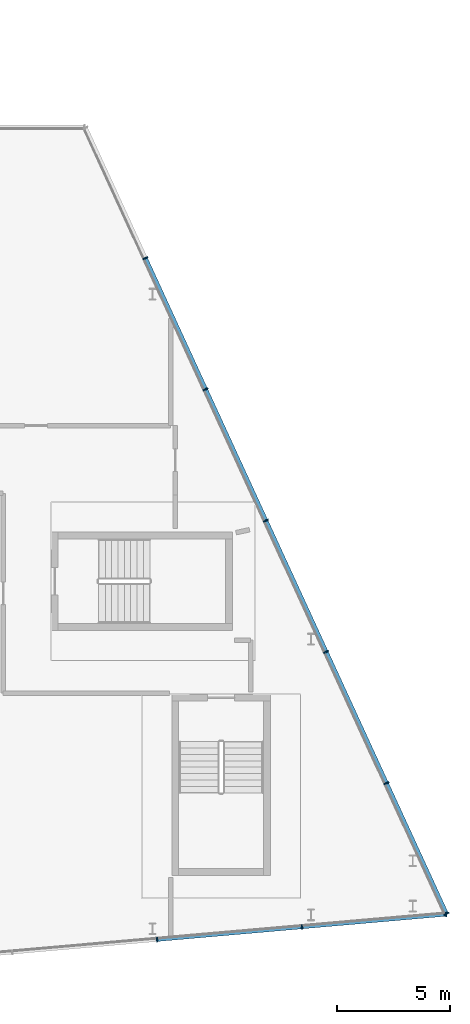
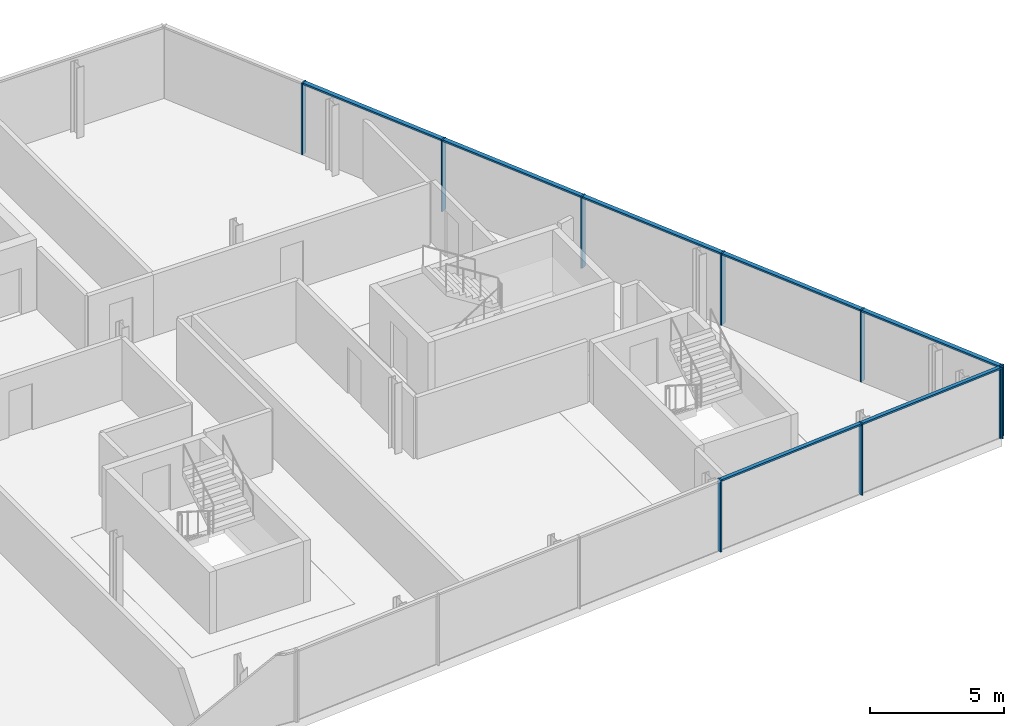
# One storey, part 5 of 13: 16 members, 2 elements without a shape of their own.
"""IFC4 building model written with IfcOpenShell, lengths in metres."""

from ifc_helpers import new_model, si_unit, direction, frame, origin, origin_2d, place, context, subcontext, project, spatial, rectangle, extrude, material, material_profile, profile_set, type_object, element, aggregate, save


model = new_model("IFC4")

# Units and contexts
model_context = context("Model", 3, precision=1e-05, world=origin(), true_north=direction((0.0, 1.0)))
body_context = subcontext(model_context, "Body", "Model", "MODEL_VIEW")
ifc_project = project(units=[si_unit("LENGTHUNIT", "METRE"), si_unit("AREAUNIT", "SQUARE_METRE"), si_unit("VOLUMEUNIT", "CUBIC_METRE"), si_unit("PLANEANGLEUNIT", "RADIAN"), si_unit("MASSUNIT", "GRAM", prefix="KILO")], contexts=[model_context])

# Site, building, storey
site_placement = place(None, origin())
site = spatial("IfcSite", under=ifc_project, at=site_placement, CompositionType="ELEMENT")
building_placement = place(site_placement, origin())
building = spatial("IfcBuilding", under=site, at=building_placement, Name="Wharfspan Tower", CompositionType="ELEMENT")
storey_placement = place(building_placement, frame((0.0, 0.0, 264.300049)))
storey = spatial("IfcBuildingStorey", under=building, at=storey_placement, Name="L67", CompositionType="ELEMENT", Elevation=264.300049)

# Curtain wall, members
ifc_material = material(Name="Aluminium 6063-T6", Category="aluminium")
curtain_wall_type_1 = type_object("IfcCurtainWallType", Name="CURTAIN WALL FACETED FRONT", PredefinedType="NOTDEFINED", material=ifc_material)
curtain_wall_1_placement = place(storey_placement, origin())
curtain_wall_1 = element("IfcCurtainWall", 1, at=curtain_wall_1_placement, inside=storey, type_object=curtain_wall_type_1, Name="Crown curtain wall S2", PredefinedType="NOTDEFINED")
ifc_material_profile_1 = material_profile(ifc_material, rectangle(XDim=0.199951, YDim=0.060059, at=origin_2d()))
ifc_profile_set_1 = profile_set([ifc_material_profile_1], Name="Aluminium 6063-T6")
member_type_1 = type_object("IfcMemberType", Name="MULLION FACETED FRONT 60x200", PredefinedType="MULLION", material=ifc_profile_set_1)
member_1_placement = place(storey_placement, frame((65.199951, 7.680176, 0.0), z_axis=(0.0, 0.0, 1.0), x_axis=(-0.087156, 0.996198, 0.0)))
member_1 = element("IfcMember", 2, at=member_1_placement, type_object=member_type_1, Name="Crown curtain wall S2 mullion 4", PredefinedType="MULLION", context=body_context, shape_type="SweptSolid", body=[
    extrude(rectangle(XDim=0.199951, YDim=0.060059, at=origin_2d()), origin(), (0.0, 0.0, 1.0), 3.264404),
])
member_2_placement = place(storey_placement, frame((71.600098, 8.23999, 0.0), z_axis=(0.0, 0.0, 1.0), x_axis=(-0.087156, 0.996198, 0.0)))
member_2 = element("IfcMember", 3, at=member_2_placement, type_object=member_type_1, Name="Crown curtain wall S2 mullion 5", PredefinedType="MULLION", context=body_context, shape_type="SweptSolid", body=[
    extrude(rectangle(XDim=0.199951, YDim=0.060059, at=origin_2d()), origin(), (0.0, 0.0, 1.0), 3.264404),
])
member_3_placement = place(storey_placement, frame((77.970215, 8.797363, 0.0), z_axis=(0.0, 0.0, 1.0), x_axis=(-0.087156, 0.996198, 0.0)))
member_3 = element("IfcMember", 4, at=member_3_placement, type_object=member_type_1, Name="Crown curtain wall S2 mullion 6", PredefinedType="MULLION", context=body_context, shape_type="SweptSolid", body=[
    extrude(rectangle(XDim=0.199951, YDim=0.060059, at=origin_2d()), origin(), (0.0, 0.0, 1.0), 3.264404),
])

curtain_wall_type_2 = type_object("IfcCurtainWallType", Name="CURTAIN WALL PROW AND END", PredefinedType="NOTDEFINED", material=ifc_material)
curtain_wall_2_placement = place(storey_placement, origin())
curtain_wall_2 = element("IfcCurtainWall", 5, at=curtain_wall_2_placement, inside=storey, type_object=curtain_wall_type_2, Name="Crown curtain wall E", PredefinedType="NOTDEFINED")
ifc_material_profile_2 = material_profile(ifc_material, rectangle(XDim=0.23999, YDim=0.060059, at=origin_2d()))
ifc_profile_set_2 = profile_set([ifc_material_profile_2], Name="Aluminium 6063-T6")
member_type_2 = type_object("IfcMemberType", Name="MULLION PROW AND END 60x240", PredefinedType="MULLION", material=ifc_profile_set_2)
member_4_placement = place(storey_placement, frame((77.987549, 8.827148, 0.0), z_axis=(0.0, 0.0, 1.0), x_axis=(-0.908769, -0.417292, 0.0)))
member_4 = element("IfcMember", 6, at=member_4_placement, type_object=member_type_2, Name="Crown curtain wall E mullion 1", PredefinedType="MULLION", context=body_context, shape_type="SweptSolid", body=[
    extrude(rectangle(XDim=0.23999, YDim=0.060059, at=origin_2d()), origin(), (0.0, 0.0, 1.0), 3.264404),
])
member_5_placement = place(storey_placement, frame((75.33667, 14.600098, 0.0), z_axis=(0.0, 0.0, 1.0), x_axis=(-0.908769, -0.417292, 0.0)))
member_5 = element("IfcMember", 7, at=member_5_placement, type_object=member_type_2, Name="Crown curtain wall E mullion 2", PredefinedType="MULLION", context=body_context, shape_type="SweptSolid", body=[
    extrude(rectangle(XDim=0.23999, YDim=0.060059, at=origin_2d()), origin(), (0.0, 0.0, 1.0), 3.264404),
])
member_6_placement = place(storey_placement, frame((72.673584, 20.399902, 0.0), z_axis=(0.0, 0.0, 1.0), x_axis=(-0.908769, -0.417292, 0.0)))
member_6 = element("IfcMember", 8, at=member_6_placement, type_object=member_type_2, Name="Crown curtain wall E mullion 3", PredefinedType="MULLION", context=body_context, shape_type="SweptSolid", body=[
    extrude(rectangle(XDim=0.23999, YDim=0.060059, at=origin_2d()), origin(), (0.0, 0.0, 1.0), 3.264404),
])
member_7_placement = place(storey_placement, frame((70.010254, 26.199951, 0.0), z_axis=(0.0, 0.0, 1.0), x_axis=(-0.908769, -0.417292, 0.0)))
member_7 = element("IfcMember", 9, at=member_7_placement, type_object=member_type_2, Name="Crown curtain wall E mullion 4", PredefinedType="MULLION", context=body_context, shape_type="SweptSolid", body=[
    extrude(rectangle(XDim=0.23999, YDim=0.060059, at=origin_2d()), origin(), (0.0, 0.0, 1.0), 3.264404),
])
member_8_placement = place(storey_placement, frame((67.346924, 32.0, 0.0), z_axis=(0.0, 0.0, 1.0), x_axis=(-0.908769, -0.417292, 0.0)))
member_8 = element("IfcMember", 10, at=member_8_placement, type_object=member_type_2, Name="Crown curtain wall E mullion 5", PredefinedType="MULLION", context=body_context, shape_type="SweptSolid", body=[
    extrude(rectangle(XDim=0.23999, YDim=0.060059, at=origin_2d()), origin(), (0.0, 0.0, 1.0), 3.264404),
])
member_9_placement = place(storey_placement, frame((64.683594, 37.800049, 0.0), z_axis=(0.0, 0.0, 1.0), x_axis=(-0.908769, -0.417292, 0.0)))
member_9 = element("IfcMember", 11, at=member_9_placement, type_object=member_type_2, Name="Crown curtain wall E mullion 6", PredefinedType="MULLION", context=body_context, shape_type="SweptSolid", body=[
    extrude(rectangle(XDim=0.23999, YDim=0.060059, at=origin_2d()), origin(), (0.0, 0.0, 1.0), 3.264404),
])

# Member
ifc_material_profile_3 = material_profile(ifc_material, rectangle(XDim=0.159912, YDim=0.080078, at=origin_2d()))
ifc_profile_set_3 = profile_set([ifc_material_profile_3], Name="Aluminium 6063-T6")
member_type_3 = type_object("IfcMemberType", Name="TRANSOM FACETED FRONT 80x160", PredefinedType="USERDEFINED", material=ifc_profile_set_3)
member_10_placement = place(storey_placement, frame((65.22998, 7.682861, 3.224365), z_axis=(0.996195, 0.087156, 0.0), x_axis=(-0.087156, 0.996195, 0.0)))
member_10 = element("IfcMember", 12, at=member_10_placement, type_object=member_type_3, Name="Crown curtain wall S2 transom 4", ObjectType="TRANSOM", PredefinedType="USERDEFINED", context=body_context, shape_type="SweptSolid", body=[
    extrude(rectangle(XDim=0.159912, YDim=0.080078, at=origin_2d()), origin(), (0.0, 0.0, 1.0), 6.364258),
])

member_11_placement = place(storey_placement, frame((71.629883, 8.242676, 3.224365), z_axis=(0.996196, 0.087144, 0.0), x_axis=(-0.087144, 0.996196, 0.0)))
member_11 = element("IfcMember", 13, at=member_11_placement, type_object=member_type_3, Name="Crown curtain wall S2 transom 5", ObjectType="TRANSOM", PredefinedType="USERDEFINED", context=body_context, shape_type="SweptSolid", body=[
    extrude(rectangle(XDim=0.159912, YDim=0.080078, at=origin_2d()), origin(), (0.0, 0.0, 1.0), 6.334473),
])

aggregate(curtain_wall_1, [member_1, member_2, member_3, member_10, member_11])

ifc_material_profile_4 = material_profile(ifc_material, rectangle(XDim=0.179932, YDim=0.080078, at=origin_2d()))
ifc_profile_set_4 = profile_set([ifc_material_profile_4], Name="Aluminium 6063-T6")
member_type_4 = type_object("IfcMemberType", Name="TRANSOM PROW AND END 80x180", PredefinedType="USERDEFINED", material=ifc_profile_set_4)
member_12_placement = place(storey_placement, frame((77.974854, 8.854492, 3.224365), z_axis=(-0.417261, 0.908787, 0.0), x_axis=(-0.908787, -0.417261, 0.0)))
member_12 = element("IfcMember", 14, at=member_12_placement, type_object=member_type_4, Name="Crown curtain wall E transom 1", ObjectType="TRANSOM", PredefinedType="USERDEFINED", context=body_context, shape_type="SweptSolid", body=[
    extrude(rectangle(XDim=0.179932, YDim=0.080078, at=origin_2d()), origin(), (0.0, 0.0, 1.0), 6.292236),
])

member_13_placement = place(storey_placement, frame((75.324219, 14.627197, 3.224365), z_axis=(-0.41728, 0.908778, 0.0), x_axis=(-0.908778, -0.41728, 0.0)))
member_13 = element("IfcMember", 15, at=member_13_placement, type_object=member_type_4, Name="Crown curtain wall E transom 2", ObjectType="TRANSOM", PredefinedType="USERDEFINED", context=body_context, shape_type="SweptSolid", body=[
    extrude(rectangle(XDim=0.179932, YDim=0.080078, at=origin_2d()), origin(), (0.0, 0.0, 1.0), 6.322266),
])

member_14_placement = place(storey_placement, frame((72.660889, 20.427246, 3.224365), z_axis=(-0.41728, 0.908778, 0.0), x_axis=(-0.908778, -0.41728, 0.0)))
member_14 = element("IfcMember", 16, at=member_14_placement, type_object=member_type_4, Name="Crown curtain wall E transom 3", ObjectType="TRANSOM", PredefinedType="USERDEFINED", context=body_context, shape_type="SweptSolid", body=[
    extrude(rectangle(XDim=0.179932, YDim=0.080078, at=origin_2d()), origin(), (0.0, 0.0, 1.0), 6.322266),
])

member_15_placement = place(storey_placement, frame((69.997803, 26.227295, 3.224365), z_axis=(-0.417326, 0.908757, 0.0), x_axis=(-0.908757, -0.417326, 0.0)))
member_15 = element("IfcMember", 17, at=member_15_placement, type_object=member_type_4, Name="Crown curtain wall E transom 4", ObjectType="TRANSOM", PredefinedType="USERDEFINED", context=body_context, shape_type="SweptSolid", body=[
    extrude(rectangle(XDim=0.179932, YDim=0.080078, at=origin_2d()), origin(), (0.0, 0.0, 1.0), 6.322266),
])

member_16_placement = place(storey_placement, frame((67.334473, 32.027344, 3.224365), z_axis=(-0.417294, 0.908771, 0.0), x_axis=(-0.908771, -0.417294, 0.0)))
member_16 = element("IfcMember", 18, at=member_16_placement, type_object=member_type_4, Name="Crown curtain wall E transom 5", ObjectType="TRANSOM", PredefinedType="USERDEFINED", context=body_context, shape_type="SweptSolid", body=[
    extrude(rectangle(XDim=0.179932, YDim=0.080078, at=origin_2d()), origin(), (0.0, 0.0, 1.0), 6.322021),
])

aggregate(curtain_wall_2, [member_4, member_5, member_6, member_7, member_8, member_9, member_12, member_13, member_14, member_15, member_16])

save(model, "model.ifc")
